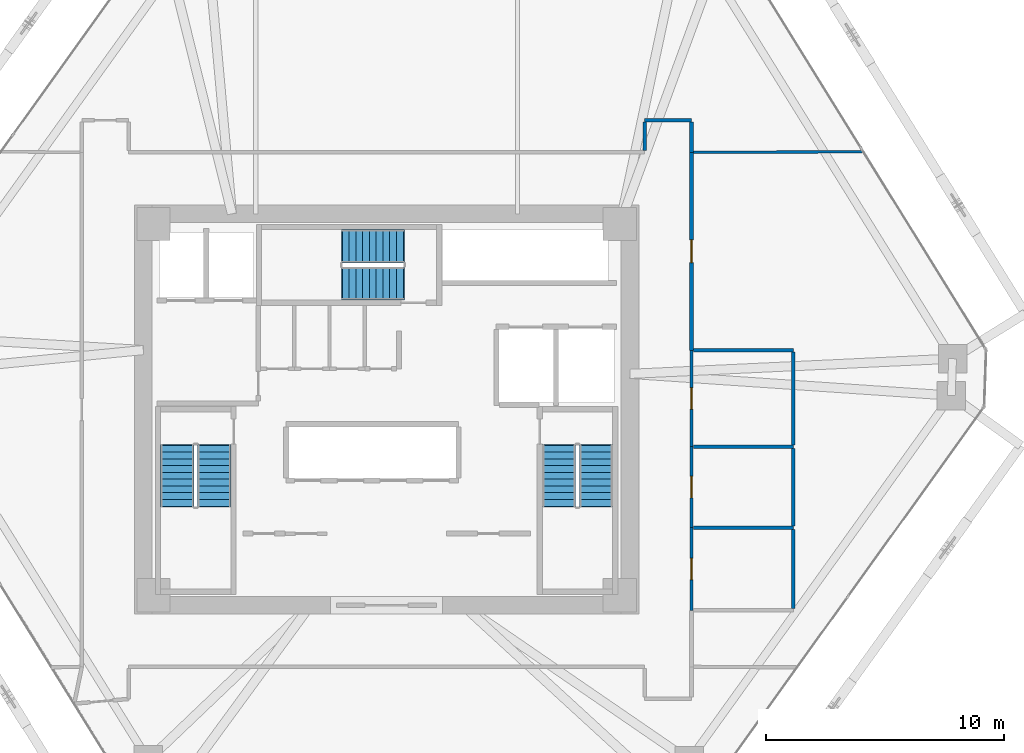
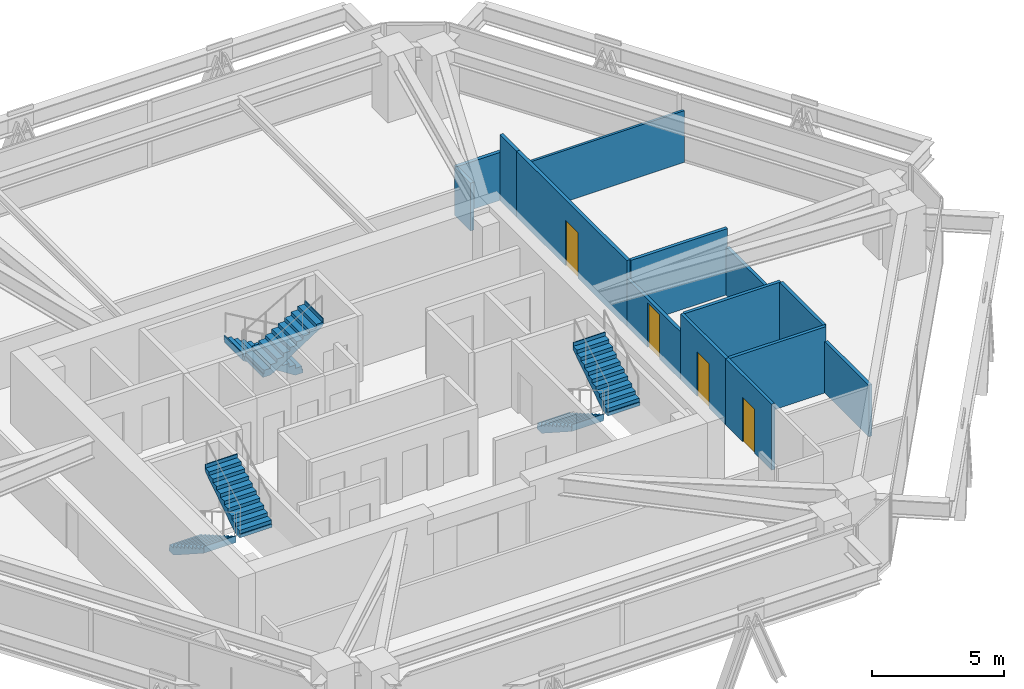
# One storey, part 14 of 15: 14 walls, 6 stair flights, 4 doors, 4 openings, 3 elements without a shape of their own.
"""IFC4 building model written with IfcOpenShell, lengths in metres."""

from ifc_helpers import new_model, si_unit, direction, frame, frame_2d, origin, place, context, subcontext, project, spatial, polyline, rectangle, outline, extrude, source, transform, mapped, material, layer, layer_set, type_object, type_shapes, element, fill, aggregate, save


model = new_model("IFC4")

# Units and contexts
model_context = context("Model", 3, precision=1e-05, world=origin(), true_north=direction((0.0, 1.0)))
body_context = subcontext(model_context, "Body", "Model", "MODEL_VIEW")
ifc_project = project(units=[si_unit("LENGTHUNIT", "METRE"), si_unit("AREAUNIT", "SQUARE_METRE"), si_unit("VOLUMEUNIT", "CUBIC_METRE"), si_unit("PLANEANGLEUNIT", "RADIAN"), si_unit("MASSUNIT", "GRAM", prefix="KILO")], contexts=[model_context])

# Site, building, storey
site_placement = place(None, origin())
site = spatial("IfcSite", under=ifc_project, at=site_placement, CompositionType="ELEMENT")
building_placement = place(site_placement, origin())
building = spatial("IfcBuilding", under=site, at=building_placement, Name="Durnholm Broadcast Tower", CompositionType="ELEMENT")
storey_placement = place(building_placement, frame((0.0, 0.0, 97.5)))
storey = spatial("IfcBuildingStorey", under=building, at=storey_placement, Name="L25", CompositionType="ELEMENT", Elevation=97.5)

# Walls
ifc_material_1 = material(Name="Operable Acoustic Panel Partition", Category="aluminium")
ifc_layer_1 = layer(ifc_material_1, 0.110107421875)
ifc_layer_set_1 = layer_set([ifc_layer_1], Name="Operable Acoustic Panel Partition")
wall_type_1 = type_object("IfcWallType", Name="WALL-MOV-110", PredefinedType="MOVABLE", material=ifc_layer_set_1)
wall_1_placement = place(storey_placement, frame((20.03515625, 10.8310546875, 0.0), z_axis=(0.0, 0.0, 1.0), x_axis=(-0.999995783715, -0.002903885812, 0.0)))
element("IfcWall", 1, at=wall_1_placement, inside=storey, type_object=wall_type_1, Name="L25 room dividing partition 11.14", PredefinedType="MOVABLE", context=body_context, shape_type="SweptSolid", body=[
    extrude(rectangle(XDim=7.146240234375, YDim=0.110107421875, at=frame_2d((3.5732421875, 0.0))), origin(), (0.0, 0.0, 1.0), 2.3798828125),
])
ifc_material_2 = material(Name="Acoustic Gypsum Stud Partition", Category="concrete")
ifc_layer_2 = layer(ifc_material_2, 0.14990234375)
ifc_layer_set_2 = layer_set([ifc_layer_2], Name="Acoustic Gypsum Stud Partition")
wall_type_2 = type_object("IfcWallType", Name="WALL-PART-150", PredefinedType="PARTITIONING", material=ifc_layer_set_2)
wall_2_placement = place(storey_placement, frame((12.81005859375, 12.159912109375, 0.0), z_axis=(0.0, 0.0, 1.0), x_axis=(-1.0, 0.0, 0.0)))
element("IfcWall", 2, at=wall_2_placement, inside=storey, type_object=wall_type_2, Name="L25 Network Operations Hall corridor partition", PredefinedType="PARTITIONING", context=body_context, shape_type="SweptSolid", body=[
    extrude(rectangle(XDim=1.969970703125, YDim=0.14990234375, at=frame_2d((0.98486328125, 0.0))), origin(), (0.0, 0.0, 1.0), 2.212158203125),
])
wall_3_placement = place(storey_placement, frame((12.81005859375, 10.81005859375, 0.0), z_axis=(0.0, 0.0, 1.0), x_axis=(0.0, 1.0, 0.0)))
element("IfcWall", 3, at=wall_3_placement, inside=storey, type_object=wall_type_2, Name="L25 Network Operations Hall corridor partition", PredefinedType="PARTITIONING", context=body_context, shape_type="SweptSolid", body=[
    extrude(rectangle(XDim=1.27099609375, YDim=0.14990234375, at=frame_2d((0.635498046875, 0.0))), origin(), (0.0, 0.0, 1.0), 3.044921875),
])
wall_4_placement = place(storey_placement, frame((10.840087890625, 12.0810546875, 0.0), z_axis=(0.0, 0.0, 1.0), x_axis=(0.0, -1.0, 0.0)))
element("IfcWall", 4, at=wall_4_placement, inside=storey, type_object=wall_type_2, Name="L25 Network Operations Hall corridor partition", PredefinedType="PARTITIONING", context=body_context, shape_type="SweptSolid", body=[
    extrude(rectangle(XDim=1.192138671875, YDim=0.14990234375, at=frame_2d((0.59619140625, 0.0))), origin(), (0.0, 0.0, 1.0), 2.212158203125),
])

# Wall, opening, door
wall_5_placement = place(storey_placement, frame((12.81005859375, 2.489990234375, 0.0), z_axis=(0.0, 0.0, 1.0), x_axis=(0.0, 1.0, 0.0)))
wall_5 = element("IfcWall", 5, at=wall_5_placement, inside=storey, type_object=wall_type_2, Name="L25 Systems Lounge corridor partition", PredefinedType="PARTITIONING", context=body_context, shape_type="SweptSolid", body=[
    extrude(rectangle(XDim=8.320068359375, YDim=0.14990234375, at=frame_2d((4.16015625, 0.0))), origin(), (0.0, 0.0, 1.0), 3.044921875),
])
opening_1_placement = place(wall_5_placement, frame((3.68505859375, 0.0, 0.0)))
opening_1 = element("IfcOpeningElement", 6, at=opening_1_placement, cuts=wall_5, Name="Opening DR-95R", PredefinedType="OPENING", context=body_context, shape_type="SweptSolid", body=[
    extrude(rectangle(XDim=0.949951171875, YDim=2.10009765625, at=frame_2d((0.47509765625, 1.050048828125))), frame((0.0, 0.0849609375, 0.0), z_axis=(0.0, -1.0, 0.0), x_axis=(1.0, 0.0, 0.0)), (0.0, 0.0, 1.0), 0.169921875),
])
ifc_material_3 = material(Name="Acoustic Oak Veneer Timber Door", Category="wood")
ifc_layer_3 = layer(ifc_material_3, 0.050048828125)
ifc_layer_set_3 = layer_set([ifc_layer_3], Name="Acoustic Oak Veneer Timber Door")
door_type_1 = type_object("IfcDoorType", Name="DOOR-RM-950R", OperationType="NOTDEFINED", PredefinedType="DOOR", material=ifc_layer_set_3)
shared_shape_1 = source(origin(), body_context, "Body", "SweptSolid", [
    extrude(rectangle(XDim=0.949951171875, YDim=2.10009765625, at=frame_2d((0.47509765625, 1.050048828125))), frame((0.0, 0.02490234375, 0.0), z_axis=(0.0, -1.0, 0.0), x_axis=(1.0, 0.0, 0.0)), (0.0, 0.0, 1.0), 0.050048828125),
])
type_shapes(door_type_1, [shared_shape_1])
door_1_placement = place(opening_1_placement, origin())
door_1 = element("IfcDoor", 7, at=door_1_placement, inside=storey, type_object=door_type_1, Name="L25 Systems Lounge entrance door", OperationType="SINGLE_SWING_RIGHT", OverallHeight=2.10009765625, OverallWidth=0.949951171875, PredefinedType="DOOR", context=body_context, shape_type="MappedRepresentation", body=[
    mapped(shared_shape_1, transform((0.0, 0.0, 0.0), x_axis=(1.0, 0.0, 0.0), y_axis=(0.0, 1.0, 0.0), z_axis=(0.0, 0.0, 1.0), scale=1.0)),
])
fill(opening_1, door_1)

ifc_material_4 = material(Name="Moisture-Resistant Tile Partition", Category="concrete")
ifc_layer_4 = layer(ifc_material_4, 0.139892578125)
ifc_layer_set_4 = layer_set([ifc_layer_4], Name="Moisture-Resistant Tile Partition")
wall_type_3 = type_object("IfcWallType", Name="WALL-WC-140", PredefinedType="PARTITIONING", material=ifc_layer_set_4)
wall_6_placement = place(storey_placement, frame((12.81005859375, -8.43994140625, 0.0), z_axis=(0.0, 0.0, 1.0), x_axis=(0.0, 1.0, 0.0)))
wall_6 = element("IfcWall", 8, at=wall_6_placement, inside=storey, type_object=wall_type_3, Name="L25 Men's Restroom corridor partition", PredefinedType="PARTITIONING", context=body_context, shape_type="SweptSolid", body=[
    extrude(rectangle(XDim=3.47998046875, YDim=0.139892578125, at=frame_2d((1.739990234375, 0.0))), origin(), (0.0, 0.0, 1.0), 3.044921875),
])
opening_2_placement = place(wall_6_placement, frame((1.2900390625, 0.0, 0.0)))
opening_2 = element("IfcOpeningElement", 9, at=opening_2_placement, cuts=wall_6, Name="Opening DW-90R", PredefinedType="OPENING", context=body_context, shape_type="SweptSolid", body=[
    extrude(rectangle(XDim=0.89990234375, YDim=2.050048828125, at=frame_2d((0.449951171875, 1.02490234375))), frame((0.0, 0.080078125, 0.0), z_axis=(0.0, -1.0, 0.0), x_axis=(1.0, 0.0, 0.0)), (0.0, 0.0, 1.0), 0.159912109375),
])
ifc_material_5 = material(Name="Laminate Restroom Door", Category="steel")
ifc_layer_5 = layer(ifc_material_5, 0.050048828125)
ifc_layer_set_5 = layer_set([ifc_layer_5], Name="Laminate Restroom Door")
door_type_2 = type_object("IfcDoorType", Name="DOOR-WC-900R", OperationType="NOTDEFINED", PredefinedType="DOOR", material=ifc_layer_set_5)
shared_shape_2 = source(origin(), body_context, "Body", "SweptSolid", [
    extrude(rectangle(XDim=0.89990234375, YDim=2.050048828125, at=frame_2d((0.449951171875, 1.02490234375))), frame((0.0, 0.02490234375, 0.0), z_axis=(0.0, -1.0, 0.0), x_axis=(1.0, 0.0, 0.0)), (0.0, 0.0, 1.0), 0.050048828125),
])
type_shapes(door_type_2, [shared_shape_2])
door_2_placement = place(opening_2_placement, origin())
door_2 = element("IfcDoor", 10, at=door_2_placement, inside=storey, type_object=door_type_2, Name="L25 Men's Restroom entrance door", OperationType="SINGLE_SWING_RIGHT", OverallHeight=2.050048828125, OverallWidth=0.89990234375, PredefinedType="DOOR", context=body_context, shape_type="MappedRepresentation", body=[
    mapped(shared_shape_2, transform((0.0, 0.0, 0.0), x_axis=(1.0, 0.0, 0.0), y_axis=(0.0, 1.0, 0.0), z_axis=(0.0, 0.0, 1.0), scale=1.0)),
])
fill(opening_2, door_2)

wall_7_placement = place(storey_placement, frame((12.81005859375, -4.9599609375, 0.0), z_axis=(0.0, 0.0, 1.0), x_axis=(0.0, 1.0, 0.0)))
wall_7 = element("IfcWall", 11, at=wall_7_placement, inside=storey, type_object=wall_type_3, Name="L25 Women's Restroom corridor partition", PredefinedType="PARTITIONING", context=body_context, shape_type="SweptSolid", body=[
    extrude(rectangle(XDim=3.39990234375, YDim=0.139892578125, at=frame_2d((1.699951171875, 0.0))), origin(), (0.0, 0.0, 1.0), 3.044921875),
])
opening_3_placement = place(wall_7_placement, frame((1.25, 0.0, 0.0)))
opening_3 = element("IfcOpeningElement", 12, at=opening_3_placement, cuts=wall_7, Name="Opening DW-90L", PredefinedType="OPENING", context=body_context, shape_type="SweptSolid", body=[
    extrude(rectangle(XDim=0.89990234375, YDim=2.050048828125, at=frame_2d((0.449951171875, 1.02490234375))), frame((0.0, 0.080078125, 0.0), z_axis=(0.0, -1.0, 0.0), x_axis=(1.0, 0.0, 0.0)), (0.0, 0.0, 1.0), 0.159912109375),
])
ifc_layer_6 = layer(ifc_material_5, 0.050048828125)
ifc_layer_set_6 = layer_set([ifc_layer_6], Name="Laminate Restroom Door")
door_type_3 = type_object("IfcDoorType", Name="DOOR-WC-900L", OperationType="NOTDEFINED", PredefinedType="DOOR", material=ifc_layer_set_6)
shared_shape_3 = source(origin(), body_context, "Body", "SweptSolid", [
    extrude(rectangle(XDim=0.89990234375, YDim=2.050048828125, at=frame_2d((0.449951171875, 1.02490234375))), frame((0.0, 0.02490234375, 0.0), z_axis=(0.0, -1.0, 0.0), x_axis=(1.0, 0.0, 0.0)), (0.0, 0.0, 1.0), 0.050048828125),
])
type_shapes(door_type_3, [shared_shape_3])
door_3_placement = place(opening_3_placement, origin())
door_3 = element("IfcDoor", 13, at=door_3_placement, inside=storey, type_object=door_type_3, Name="L25 Women's Restroom entrance door", OperationType="SINGLE_SWING_LEFT", OverallHeight=2.050048828125, OverallWidth=0.89990234375, PredefinedType="DOOR", context=body_context, shape_type="MappedRepresentation", body=[
    mapped(shared_shape_3, transform((0.0, 0.0, 0.0), x_axis=(1.0, 0.0, 0.0), y_axis=(0.0, 1.0, 0.0), z_axis=(0.0, 0.0, 1.0), scale=1.0)),
])
fill(opening_3, door_3)

wall_8_placement = place(storey_placement, frame((12.81005859375, -1.56005859375, 0.0), z_axis=(0.0, 0.0, 1.0), x_axis=(0.0, 1.0, 0.0)))
wall_8 = element("IfcWall", 14, at=wall_8_placement, inside=storey, type_object=wall_type_3, Name="L25 Accessible Restroom corridor partition", PredefinedType="PARTITIONING", context=body_context, shape_type="SweptSolid", body=[
    extrude(rectangle(XDim=4.050048828125, YDim=0.139892578125, at=frame_2d((2.02490234375, 0.0))), origin(), (0.0, 0.0, 1.0), 2.212158203125),
])
opening_4_placement = place(wall_8_placement, frame((1.574951171875, 0.0, 0.0)))
opening_4 = element("IfcOpeningElement", 15, at=opening_4_placement, cuts=wall_8, Name="Opening DW-90R", PredefinedType="OPENING", context=body_context, shape_type="SweptSolid", body=[
    extrude(rectangle(XDim=0.89990234375, YDim=2.050048828125, at=frame_2d((0.449951171875, 1.02490234375))), frame((0.0, 0.080078125, 0.0), z_axis=(0.0, -1.0, 0.0), x_axis=(1.0, 0.0, 0.0)), (0.0, 0.0, 1.0), 0.159912109375),
])
door_4_placement = place(opening_4_placement, origin())
door_4 = element("IfcDoor", 16, at=door_4_placement, inside=storey, type_object=door_type_2, Name="L25 Accessible Restroom entrance door", OperationType="SINGLE_SWING_RIGHT", OverallHeight=2.050048828125, OverallWidth=0.89990234375, PredefinedType="DOOR", context=body_context, shape_type="MappedRepresentation", body=[
    mapped(shared_shape_2, transform((0.0, 0.0, 0.0), x_axis=(1.0, 0.0, 0.0), y_axis=(0.0, 1.0, 0.0), z_axis=(0.0, 0.0, 1.0), scale=1.0)),
])
fill(opening_4, door_4)

# Walls
wall_9_placement = place(storey_placement, frame((12.884033203125, -4.9599609375, 0.0), z_axis=(0.0, 0.0, 1.0), x_axis=(1.0, 0.0, 0.0)))
element("IfcWall", 17, at=wall_9_placement, inside=storey, type_object=wall_type_3, Name="L25 room dividing partition 8.9", PredefinedType="PARTITIONING", context=body_context, shape_type="SweptSolid", body=[
    extrude(rectangle(XDim=4.2060546875, YDim=0.139892578125, at=frame_2d((2.10302734375, 0.0))), origin(), (0.0, 0.0, 1.0), 3.044921875),
])
wall_10_placement = place(storey_placement, frame((17.090087890625, -5.033935546875, 0.0), z_axis=(0.0, 0.0, 1.0), x_axis=(0.0, -1.0, 0.0)))
element("IfcWall", 18, at=wall_10_placement, inside=storey, type_object=wall_type_3, Name="L25 room dividing partition 8.14", PredefinedType="PARTITIONING", context=body_context, shape_type="SweptSolid", body=[
    extrude(rectangle(XDim=3.33203125, YDim=0.139892578125, at=frame_2d((1.666015625, 0.0))), origin(), (0.0, 0.0, 1.0), 2.3798828125),
])
wall_11_placement = place(storey_placement, frame((12.884033203125, -1.56005859375, 0.0), z_axis=(0.0, 0.0, 1.0), x_axis=(1.0, 0.0, 0.0)))
element("IfcWall", 19, at=wall_11_placement, inside=storey, type_object=wall_type_3, Name="L25 room dividing partition 9.10", PredefinedType="PARTITIONING", context=body_context, shape_type="SweptSolid", body=[
    extrude(rectangle(XDim=4.2060546875, YDim=0.139892578125, at=frame_2d((2.10302734375, 0.0))), origin(), (0.0, 0.0, 1.0), 3.044921875),
])
wall_12_placement = place(storey_placement, frame((17.090087890625, -1.634033203125, 0.0), z_axis=(0.0, 0.0, 1.0), x_axis=(0.0, -1.0, 0.0)))
element("IfcWall", 20, at=wall_12_placement, inside=storey, type_object=wall_type_3, Name="L25 room dividing partition 9.14", PredefinedType="PARTITIONING", context=body_context, shape_type="SweptSolid", body=[
    extrude(rectangle(XDim=3.251953125, YDim=0.139892578125, at=frame_2d((1.6259765625, 0.0))), origin(), (0.0, 0.0, 1.0), 3.044921875),
])
wall_13_placement = place(storey_placement, frame((12.888916015625, 2.489990234375, 0.0), z_axis=(0.0, 0.0, 1.0), x_axis=(1.0, 0.0, 0.0)))
element("IfcWall", 21, at=wall_13_placement, inside=storey, type_object=wall_type_3, Name="L25 room dividing partition 10.14", PredefinedType="PARTITIONING", context=body_context, shape_type="SweptSolid", body=[
    extrude(rectangle(XDim=4.201171875, YDim=0.139892578125, at=frame_2d((2.1005859375, 0.0))), origin(), (0.0, 0.0, 1.0), 3.044921875),
])
wall_14_placement = place(storey_placement, frame((17.090087890625, 2.416015625, 0.0), z_axis=(0.0, 0.0, 1.0), x_axis=(0.0, -1.0, 0.0)))
element("IfcWall", 22, at=wall_14_placement, inside=storey, type_object=wall_type_3, Name="L25 room dividing partition 10.14", PredefinedType="PARTITIONING", context=body_context, shape_type="SweptSolid", body=[
    extrude(rectangle(XDim=3.902099609375, YDim=0.139892578125, at=frame_2d((1.951171875, 0.0))), origin(), (0.0, 0.0, 1.0), 2.212158203125),
])

# Stair, stair flights
ifc_material_6 = material(Name="Concrete C50/60", Category="concrete")
stair_type = type_object("IfcStairType", Name="STAIR-DL-20R1650", PredefinedType="HALF_TURN_STAIR", material=ifc_material_6)
stair_1_placement = place(storey_placement, origin())
stair_1 = element("IfcStair", 23, at=stair_1_placement, inside=storey, type_object=stair_type, Name="L25 ST-1", PredefinedType="HALF_TURN_STAIR")
stair_flight_type = type_object("IfcStairFlightType", Name="FLIGHT-DL-20R1650", PredefinedType="STRAIGHT", material=ifc_material_6)
stair_flight_1_placement = place(storey_placement, frame((-8.800048828125, -1.5, 0.0), z_axis=(0.0, 0.0, 1.0), x_axis=(0.0, -1.0, 0.0)))
stair_flight_1 = element("IfcStairFlight", 24, at=stair_flight_1_placement, type_object=stair_flight_type, Name="ST-1 flight 1", NumberOfRisers=10, NumberOfTreads=9, PredefinedType="STRAIGHT", RiserHeight=0.165, TreadLength=0.285, context=body_context, shape_type="SweptSolid", body=[
    extrude(outline(polyline([(-0.0400390625, -0.14990234375), (-0.0400390625, 0.0), (0.0, 0.0), (0.0, 0.1650390625), (0.284912109375, 0.1650390625), (0.284912109375, 0.330078125), (0.570068359375, 0.330078125), (0.570068359375, 0.4951171875), (0.85498046875, 0.4951171875), (0.85498046875, 0.659912109375), (1.139892578125, 0.659912109375), (1.139892578125, 0.824951171875), (1.425048828125, 0.824951171875), (1.425048828125, 0.989990234375), (1.7099609375, 0.989990234375), (1.7099609375, 1.155029296875), (1.9951171875, 1.155029296875), (1.9951171875, 1.320068359375), (2.280029296875, 1.320068359375), (2.280029296875, 1.485107421875), (2.56494140625, 1.485107421875), (2.56494140625, 1.64990234375), (2.60498046875, 1.64990234375), (2.60498046875, 1.5), (2.56494140625, 1.311767578125), (0.299072265625, -0.14990234375), (-0.0400390625, -0.14990234375)])), frame((0.0, 0.699951171875, 0.0), z_axis=(0.0, -1.0, 0.0), x_axis=(1.0, 0.0, 0.0)), (0.0, 0.0, 1.0), 1.39990234375),
])
stair_flight_2_placement = place(storey_placement, frame((-7.239990234375, -4.06494140625, 1.64990234375), z_axis=(0.0, 0.0, 1.0), x_axis=(0.0, 1.0, 0.0)))
stair_flight_2 = element("IfcStairFlight", 25, at=stair_flight_2_placement, type_object=stair_flight_type, Name="ST-1 flight 2", NumberOfRisers=10, NumberOfTreads=9, PredefinedType="STRAIGHT", RiserHeight=0.165, TreadLength=0.285, context=body_context, shape_type="SweptSolid", body=[
    extrude(outline(polyline([(-0.0400390625, -0.14990234375), (-0.0400390625, 0.0), (0.0, 0.0), (0.0, 0.1650390625), (0.284912109375, 0.1650390625), (0.284912109375, 0.330078125), (0.570068359375, 0.330078125), (0.570068359375, 0.4951171875), (0.85498046875, 0.4951171875), (0.85498046875, 0.659912109375), (1.139892578125, 0.659912109375), (1.139892578125, 0.824951171875), (1.425048828125, 0.824951171875), (1.425048828125, 0.989990234375), (1.7099609375, 0.989990234375), (1.7099609375, 1.155029296875), (1.9951171875, 1.155029296875), (1.9951171875, 1.320068359375), (2.280029296875, 1.320068359375), (2.280029296875, 1.485107421875), (2.56494140625, 1.485107421875), (2.56494140625, 1.64990234375), (2.60498046875, 1.64990234375), (2.60498046875, 1.5), (2.56494140625, 1.311767578125), (0.299072265625, -0.14990234375), (-0.0400390625, -0.14990234375)])), frame((0.0, 0.699951171875, 0.0), z_axis=(0.0, -1.0, 0.0), x_axis=(1.0, 0.0, 0.0)), (0.0, 0.0, 1.0), 1.39990234375),
])
aggregate(stair_1, [stair_flight_1, stair_flight_2])

stair_2_placement = place(storey_placement, origin())
stair_2 = element("IfcStair", 26, at=stair_2_placement, inside=storey, type_object=stair_type, Name="L25 ST-2", PredefinedType="HALF_TURN_STAIR")
stair_flight_3_placement = place(storey_placement, frame((7.239990234375, -1.5, 0.0), z_axis=(0.0, 0.0, 1.0), x_axis=(0.0, -1.0, 0.0)))
stair_flight_3 = element("IfcStairFlight", 27, at=stair_flight_3_placement, type_object=stair_flight_type, Name="ST-2 flight 1", NumberOfRisers=10, NumberOfTreads=9, PredefinedType="STRAIGHT", RiserHeight=0.165, TreadLength=0.285, context=body_context, shape_type="SweptSolid", body=[
    extrude(outline(polyline([(-0.0400390625, -0.14990234375), (-0.0400390625, 0.0), (0.0, 0.0), (0.0, 0.1650390625), (0.284912109375, 0.1650390625), (0.284912109375, 0.330078125), (0.570068359375, 0.330078125), (0.570068359375, 0.4951171875), (0.85498046875, 0.4951171875), (0.85498046875, 0.659912109375), (1.139892578125, 0.659912109375), (1.139892578125, 0.824951171875), (1.425048828125, 0.824951171875), (1.425048828125, 0.989990234375), (1.7099609375, 0.989990234375), (1.7099609375, 1.155029296875), (1.9951171875, 1.155029296875), (1.9951171875, 1.320068359375), (2.280029296875, 1.320068359375), (2.280029296875, 1.485107421875), (2.56494140625, 1.485107421875), (2.56494140625, 1.64990234375), (2.60498046875, 1.64990234375), (2.60498046875, 1.5), (2.56494140625, 1.311767578125), (0.299072265625, -0.14990234375), (-0.0400390625, -0.14990234375)])), frame((0.0, 0.699951171875, 0.0), z_axis=(0.0, -1.0, 0.0), x_axis=(1.0, 0.0, 0.0)), (0.0, 0.0, 1.0), 1.39990234375),
])
stair_flight_4_placement = place(storey_placement, frame((8.800048828125, -4.06494140625, 1.64990234375), z_axis=(0.0, 0.0, 1.0), x_axis=(0.0, 1.0, 0.0)))
stair_flight_4 = element("IfcStairFlight", 28, at=stair_flight_4_placement, type_object=stair_flight_type, Name="ST-2 flight 2", NumberOfRisers=10, NumberOfTreads=9, PredefinedType="STRAIGHT", RiserHeight=0.165, TreadLength=0.285, context=body_context, shape_type="SweptSolid", body=[
    extrude(outline(polyline([(-0.0400390625, -0.14990234375), (-0.0400390625, 0.0), (0.0, 0.0), (0.0, 0.1650390625), (0.284912109375, 0.1650390625), (0.284912109375, 0.330078125), (0.570068359375, 0.330078125), (0.570068359375, 0.4951171875), (0.85498046875, 0.4951171875), (0.85498046875, 0.659912109375), (1.139892578125, 0.659912109375), (1.139892578125, 0.824951171875), (1.425048828125, 0.824951171875), (1.425048828125, 0.989990234375), (1.7099609375, 0.989990234375), (1.7099609375, 1.155029296875), (1.9951171875, 1.155029296875), (1.9951171875, 1.320068359375), (2.280029296875, 1.320068359375), (2.280029296875, 1.485107421875), (2.56494140625, 1.485107421875), (2.56494140625, 1.64990234375), (2.60498046875, 1.64990234375), (2.60498046875, 1.5), (2.56494140625, 1.311767578125), (0.299072265625, -0.14990234375), (-0.0400390625, -0.14990234375)])), frame((0.0, 0.699951171875, 0.0), z_axis=(0.0, -1.0, 0.0), x_axis=(1.0, 0.0, 0.0)), (0.0, 0.0, 1.0), 1.39990234375),
])
aggregate(stair_2, [stair_flight_3, stair_flight_4])

stair_3_placement = place(storey_placement, origin())
stair_3 = element("IfcStair", 29, at=stair_3_placement, inside=storey, type_object=stair_type, Name="L25 ST-3", PredefinedType="HALF_TURN_STAIR")
stair_flight_5_placement = place(storey_placement, frame((0.699951171875, 6.860107421875, 0.0), z_axis=(0.0, 0.0, 1.0), x_axis=(-1.0, 0.0, 0.0)))
stair_flight_5 = element("IfcStairFlight", 30, at=stair_flight_5_placement, type_object=stair_flight_type, Name="ST-3 flight 1", NumberOfRisers=10, NumberOfTreads=9, PredefinedType="STRAIGHT", RiserHeight=0.165, TreadLength=0.285, context=body_context, shape_type="SweptSolid", body=[
    extrude(outline(polyline([(-0.0400390625, -0.14990234375), (-0.0400390625, 0.0), (0.0, 0.0), (0.0, 0.1650390625), (0.284912109375, 0.1650390625), (0.284912109375, 0.330078125), (0.570068359375, 0.330078125), (0.570068359375, 0.4951171875), (0.85498046875, 0.4951171875), (0.85498046875, 0.659912109375), (1.139892578125, 0.659912109375), (1.139892578125, 0.824951171875), (1.425048828125, 0.824951171875), (1.425048828125, 0.989990234375), (1.7099609375, 0.989990234375), (1.7099609375, 1.155029296875), (1.9951171875, 1.155029296875), (1.9951171875, 1.320068359375), (2.280029296875, 1.320068359375), (2.280029296875, 1.485107421875), (2.56494140625, 1.485107421875), (2.56494140625, 1.64990234375), (2.60498046875, 1.64990234375), (2.60498046875, 1.5), (2.56494140625, 1.311767578125), (0.299072265625, -0.14990234375), (-0.0400390625, -0.14990234375)])), frame((0.0, 0.699951171875, 0.0), z_axis=(0.0, -1.0, 0.0), x_axis=(1.0, 0.0, 0.0)), (0.0, 0.0, 1.0), 1.39990234375),
])
stair_flight_6_placement = place(storey_placement, frame((-1.864990234375, 5.300048828125, 1.64990234375), z_axis=(0.0, 0.0, 1.0), x_axis=(1.0, 0.0, 0.0)))
stair_flight_6 = element("IfcStairFlight", 31, at=stair_flight_6_placement, type_object=stair_flight_type, Name="ST-3 flight 2", NumberOfRisers=10, NumberOfTreads=9, PredefinedType="STRAIGHT", RiserHeight=0.165, TreadLength=0.285, context=body_context, shape_type="SweptSolid", body=[
    extrude(outline(polyline([(-0.0400390625, -0.14990234375), (-0.0400390625, 0.0), (0.0, 0.0), (0.0, 0.1650390625), (0.284912109375, 0.1650390625), (0.284912109375, 0.330078125), (0.570068359375, 0.330078125), (0.570068359375, 0.4951171875), (0.85498046875, 0.4951171875), (0.85498046875, 0.659912109375), (1.139892578125, 0.659912109375), (1.139892578125, 0.824951171875), (1.425048828125, 0.824951171875), (1.425048828125, 0.989990234375), (1.7099609375, 0.989990234375), (1.7099609375, 1.155029296875), (1.9951171875, 1.155029296875), (1.9951171875, 1.320068359375), (2.280029296875, 1.320068359375), (2.280029296875, 1.485107421875), (2.56494140625, 1.485107421875), (2.56494140625, 1.64990234375), (2.60498046875, 1.64990234375), (2.60498046875, 1.5), (2.56494140625, 1.311767578125), (0.299072265625, -0.14990234375), (-0.0400390625, -0.14990234375)])), frame((0.0, 0.699951171875, 0.0), z_axis=(0.0, -1.0, 0.0), x_axis=(1.0, 0.0, 0.0)), (0.0, 0.0, 1.0), 1.39990234375),
])
aggregate(stair_3, [stair_flight_5, stair_flight_6])

save(model, "model.ifc")
